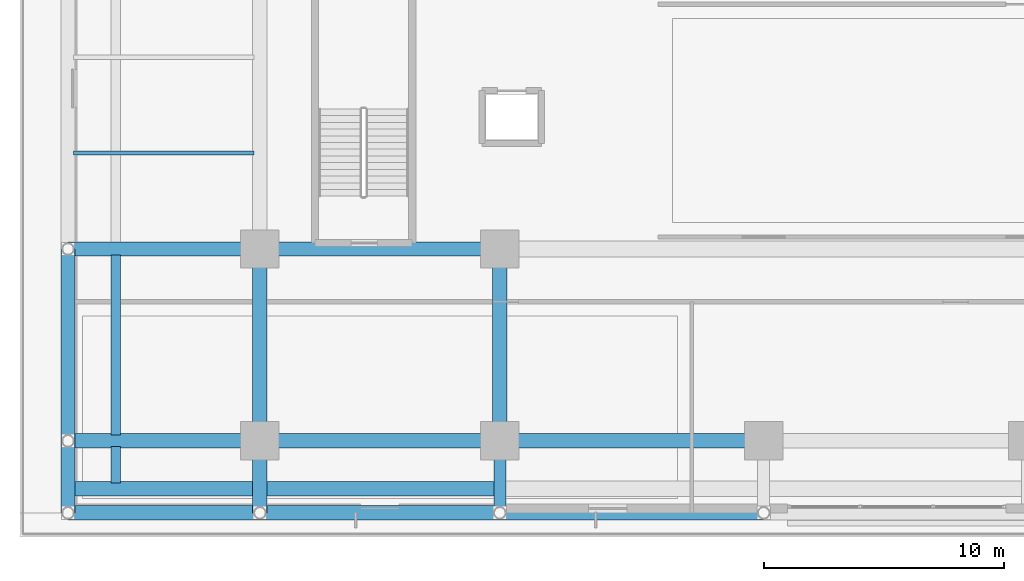
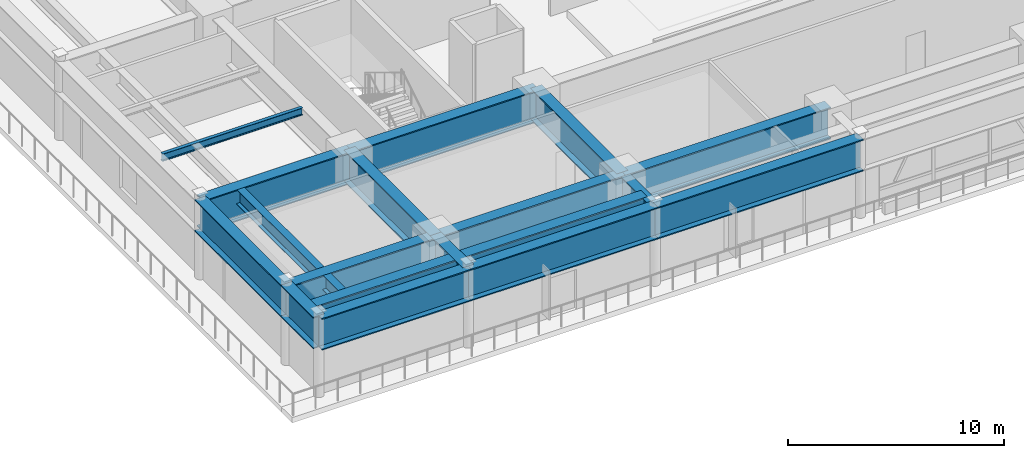
# One storey, part 7 of 38: 19 beams.
"""IFC4 building model written with IfcOpenShell, lengths in metres."""

from ifc_helpers import new_model, si_unit, direction, frame, origin, origin_2d, place, context, subcontext, project, spatial, i_section, extrude, source, transform, mapped, material, material_profile, profile_set, type_object, element, save


model = new_model("IFC4")

# Units and contexts
model_context = context("Model", 3, precision=1e-05, world=origin(), true_north=direction((0.0, 1.0)))
body_context = subcontext(model_context, "Body", "Model", "MODEL_VIEW")
ifc_project = project(units=[si_unit("LENGTHUNIT", "METRE"), si_unit("AREAUNIT", "SQUARE_METRE"), si_unit("VOLUMEUNIT", "CUBIC_METRE"), si_unit("PLANEANGLEUNIT", "RADIAN"), si_unit("MASSUNIT", "GRAM", prefix="KILO")], contexts=[model_context])

# Site, building, storey
site_placement = place(None, origin())
site = spatial("IfcSite", under=ifc_project, at=site_placement, CompositionType="ELEMENT")
building_placement = place(site_placement, origin())
building = spatial("IfcBuilding", under=site, at=building_placement, Name="Khorayat Bourse Tower", CompositionType="ELEMENT")
storey_placement = place(building_placement, frame((0.0, 0.0, 17.39990234375)))
storey = spatial("IfcBuildingStorey", under=building, at=storey_placement, Name="L03", CompositionType="ELEMENT", Elevation=17.39990234375)

# Beams
ifc_material_1 = material(Name="Steel EN 10025-4 S460M", Category="steel")
ifc_material_profile_1 = material_profile(ifc_material_1, i_section(OverallWidth=0.60009765625, OverallDepth=1.800048828125, WebThickness=0.031982421875, FlangeThickness=0.06005859375, at=origin_2d()), Name="PG 1800x600x32x60")
ifc_profile_set_1 = profile_set([ifc_material_profile_1], Name="Steel EN 10025-4 S460M")
beam_type_1 = type_object("IfcBeamType", Name="BM-TR-1800", PredefinedType="BEAM", material=ifc_profile_set_1)
shared_shape_1 = source(origin(), body_context, "Body", "SweptSolid", [
    extrude(i_section(OverallWidth=0.60009765625, OverallDepth=1.800048828125, WebThickness=0.031982421875, FlangeThickness=0.06005859375, at=origin_2d()), origin(), (0.0, 0.0, 1.0), 10.0),
])
for number, where, z_axis, x_axis, name in (
    (1, (-32.0, -35.0, 3.580078125), (1.0, 0.0, 0.0), (0.0, 1.0, 0.0), "L03 BM-TR-1800 BM-L03-PGX-025"),
    (2, (-32.0, -34.0, 3.580078125), (1.0, 0.0, 0.0), (0.0, 1.0, 0.0), "L03 BM-TR-1800 BM-L03-PGX-032"),
    (3, (-32.0, -32.0, 3.580078125), (1.0, 0.0, 0.0), (0.0, 1.0, 0.0), "L03 BM-TR-1800 BM-L03-PGX-037"),
    (4, (-32.0, -24.0, 3.580078125), (1.0, 0.0, 0.0), (0.0, 1.0, 0.0), "L03 BM-TR-1800 BM-L03-PGX-045"),
):
    element("IfcBeam", number, at=place(storey_placement, frame(where, z_axis=z_axis, x_axis=x_axis)), inside=storey, type_object=beam_type_1, Name=name, PredefinedType="BEAM", context=body_context, shape_type="MappedRepresentation", body=[
        mapped(shared_shape_1, transform((0.0, 0.0, 0.0), scale=1.0)),
    ])
shared_shape_2 = source(origin(), body_context, "Body", "SweptSolid", [
    extrude(i_section(OverallWidth=0.60009765625, OverallDepth=1.800048828125, WebThickness=0.031982421875, FlangeThickness=0.06005859375, at=origin_2d()), origin(), (0.0, 0.0, 1.0), 11.0),
])
for number, where, z_axis, x_axis, name in (
    (5, (-22.0, -35.0, 3.580078125), (1.0, 0.0, 0.0), (0.0, 1.0, 0.0), "L03 BM-TR-1800 BM-L03-PGX-026"),
    (6, (-22.0, -32.0, 3.580078125), (1.0, 0.0, 0.0), (0.0, 1.0, 0.0), "L03 BM-TR-1800 BM-L03-PGX-038"),
):
    element("IfcBeam", number, at=place(storey_placement, frame(where, z_axis=z_axis, x_axis=x_axis)), inside=storey, type_object=beam_type_1, Name=name, PredefinedType="BEAM", context=body_context, shape_type="MappedRepresentation", body=[
        mapped(shared_shape_2, transform((0.0, 0.0, 0.0), scale=1.0)),
    ])
shared_shape_3 = source(origin(), body_context, "Body", "SweptSolid", [
    extrude(i_section(OverallWidth=0.60009765625, OverallDepth=1.800048828125, WebThickness=0.031982421875, FlangeThickness=0.06005859375, at=origin_2d()), origin(), (0.0, 0.0, 1.0), 8.0),
])
for number, where, z_axis, x_axis, name in (
    (7, (-40.0, -35.0, 3.580078125), (1.0, 0.0, 0.0), (0.0, 1.0, 0.0), "L03 BM-TR-1800 BM-L03-PGX-024"),
    (8, (-40.0, -34.0, 3.580078125), (1.0, 0.0, 0.0), (0.0, 1.0, 0.0), "L03 BM-TR-1800 BM-L03-PGX-031"),
    (9, (-40.0, -32.0, 3.580078125), (1.0, 0.0, 0.0), (0.0, 1.0, 0.0), "L03 BM-TR-1800 BM-L03-PGX-036"),
    (10, (-40.0, -24.0, 3.580078125), (1.0, 0.0, 0.0), (0.0, 1.0, 0.0), "L03 BM-TR-1800 BM-L03-PGX-044"),
    (11, (-40.0, -32.0, 3.580078125), (0.0, 1.0, 0.0), (-1.0, 0.0, 0.0), "L03 BM-TR-1800 BM-L03-PGY-099"),
    (12, (-32.0, -32.0, 3.580078125), (0.0, 1.0, 0.0), (-1.0, 0.0, 0.0), "L03 BM-TR-1800 BM-L03-PGY-114"),
    (13, (-22.0, -32.0, 3.580078125), (0.0, 1.0, 0.0), (-1.0, 0.0, 0.0), "L03 BM-TR-1800 BM-L03-PGY-122"),
):
    element("IfcBeam", number, at=place(storey_placement, frame(where, z_axis=z_axis, x_axis=x_axis)), inside=storey, type_object=beam_type_1, Name=name, PredefinedType="BEAM", context=body_context, shape_type="MappedRepresentation", body=[
        mapped(shared_shape_3, transform((0.0, 0.0, 0.0), scale=1.0)),
    ])
ifc_material_2 = material(Name="Steel ASTM A992 Grade 50", Category="steel")
ifc_material_profile_2 = material_profile(ifc_material_2, i_section(OverallWidth=0.39990234375, OverallDepth=0.85498046875, WebThickness=0.018310546875, FlangeThickness=0.029296875, FilletRadius=0.02001953125, at=origin_2d()), Name="W840X299")
ifc_profile_set_2 = profile_set([ifc_material_profile_2], Name="Steel ASTM A992 Grade 50")
beam_type_2 = type_object("IfcBeamType", Name="BM-GIRD-840", PredefinedType="BEAM", material=ifc_profile_set_2)
shared_shape_4 = source(origin(), body_context, "Body", "SweptSolid", [
    extrude(i_section(OverallWidth=0.39990234375, OverallDepth=0.85498046875, WebThickness=0.018310546875, FlangeThickness=0.029296875, FilletRadius=0.02001953125, at=origin_2d()), origin(), (0.0, 0.0, 1.0), 7.52001953125),
])
beam_1_placement = place(storey_placement, frame((-38.0, -31.760009765625, 4.052490234375), z_axis=(0.0, 1.0, 0.0), x_axis=(-1.0, 0.0, 0.0)))
element("IfcBeam", 14, at=beam_1_placement, inside=storey, type_object=beam_type_2, Name="L03 BM-GIRD-840 BM-L03-PGY-106", PredefinedType="BEAM", context=body_context, shape_type="MappedRepresentation", body=[
    mapped(shared_shape_4, transform((0.0, 0.0, 0.0), scale=1.0)),
])
shared_shape_5 = source(origin(), body_context, "Body", "SweptSolid", [
    extrude(i_section(OverallWidth=0.60009765625, OverallDepth=1.800048828125, WebThickness=0.031982421875, FlangeThickness=0.06005859375, at=origin_2d()), origin(), (0.0, 0.0, 1.0), 3.0),
])
for number, where, z_axis, x_axis, name in (
    (15, (-40.0, -35.0, 3.580078125), (0.0, 1.0, 0.0), (-1.0, 0.0, 0.0), "L03 BM-TR-1800 BM-L03-PGY-098"),
    (16, (-32.0, -35.0, 3.580078125), (0.0, 1.0, 0.0), (-1.0, 0.0, 0.0), "L03 BM-TR-1800 BM-L03-PGY-113"),
):
    element("IfcBeam", number, at=place(storey_placement, frame(where, z_axis=z_axis, x_axis=x_axis)), inside=storey, type_object=beam_type_1, Name=name, PredefinedType="BEAM", context=body_context, shape_type="MappedRepresentation", body=[
        mapped(shared_shape_5, transform((0.0, 0.0, 0.0), scale=1.0)),
    ])
shared_shape_6 = source(origin(), body_context, "Body", "SweptSolid", [
    extrude(i_section(OverallWidth=0.39990234375, OverallDepth=0.85498046875, WebThickness=0.018310546875, FlangeThickness=0.029296875, FilletRadius=0.02001953125, at=origin_2d()), origin(), (0.0, 0.0, 1.0), 1.52001953125),
])
beam_2_placement = place(storey_placement, frame((-38.0, -33.760009765625, 4.052490234375), z_axis=(0.0, 1.0, 0.0), x_axis=(-1.0, 0.0, 0.0)))
element("IfcBeam", 17, at=beam_2_placement, inside=storey, type_object=beam_type_2, Name="L03 BM-GIRD-840 BM-L03-PGY-105", PredefinedType="BEAM", context=body_context, shape_type="MappedRepresentation", body=[
    mapped(shared_shape_6, transform((0.0, 0.0, 0.0), scale=1.0)),
])
ifc_material_profile_3 = material_profile(ifc_material_1, i_section(OverallWidth=0.5, OverallDepth=1.39990234375, WebThickness=0.02490234375, FlangeThickness=0.050048828125, at=origin_2d()), Name="PG 1400x500x25x50")
ifc_profile_set_3 = profile_set([ifc_material_profile_3], Name="Steel EN 10025-4 S460M")
beam_type_3 = type_object("IfcBeamType", Name="BM-TR-1400", PredefinedType="BEAM", material=ifc_profile_set_3)
shared_shape_7 = source(origin(), body_context, "Body", "SweptSolid", [
    extrude(i_section(OverallWidth=0.5, OverallDepth=1.39990234375, WebThickness=0.02490234375, FlangeThickness=0.050048828125, at=origin_2d()), origin(), (0.0, 0.0, 1.0), 3.0),
])
beam_3_placement = place(storey_placement, frame((-22.0, -35.0, 3.780029296875), z_axis=(0.0, 1.0, 0.0), x_axis=(-1.0, 0.0, 0.0)))
element("IfcBeam", 18, at=beam_3_placement, inside=storey, type_object=beam_type_3, Name="L03 BM-TR-1400 BM-L03-PGY-121", PredefinedType="BEAM", context=body_context, shape_type="MappedRepresentation", body=[
    mapped(shared_shape_7, transform((0.0, 0.0, 0.0), scale=1.0)),
])
ifc_material_profile_4 = material_profile(ifc_material_2, i_section(OverallWidth=0.180908203125, OverallDepth=0.4169921875, WebThickness=0.010986328125, FlangeThickness=0.018310546875, FilletRadius=0.011962890625, at=origin_2d()), Name="W410X85")
ifc_profile_set_4 = profile_set([ifc_material_profile_4], Name="Steel ASTM A992 Grade 50")
beam_type_4 = type_object("IfcBeamType", Name="BM-JOIST-410", PredefinedType="JOIST", material=ifc_profile_set_4)
shared_shape_8 = source(origin(), body_context, "Body", "SweptSolid", [
    extrude(i_section(OverallWidth=0.180908203125, OverallDepth=0.4169921875, WebThickness=0.010986328125, FlangeThickness=0.018310546875, FilletRadius=0.011962890625, at=origin_2d()), origin(), (0.0, 0.0, 1.0), 7.52001953125),
])
beam_4_placement = place(storey_placement, frame((-39.760009765625, -20.0, 4.271484375), z_axis=(1.0, 0.0, 0.0), x_axis=(0.0, 1.0, 0.0)))
element("IfcBeam", 19, at=beam_4_placement, inside=storey, type_object=beam_type_4, Name="L03 BM-JOIST-410 BM-L03-PJ-167", PredefinedType="JOIST", context=body_context, shape_type="MappedRepresentation", body=[
    mapped(shared_shape_8, transform((0.0, 0.0, 0.0), scale=1.0)),
])

save(model, "model.ifc")
